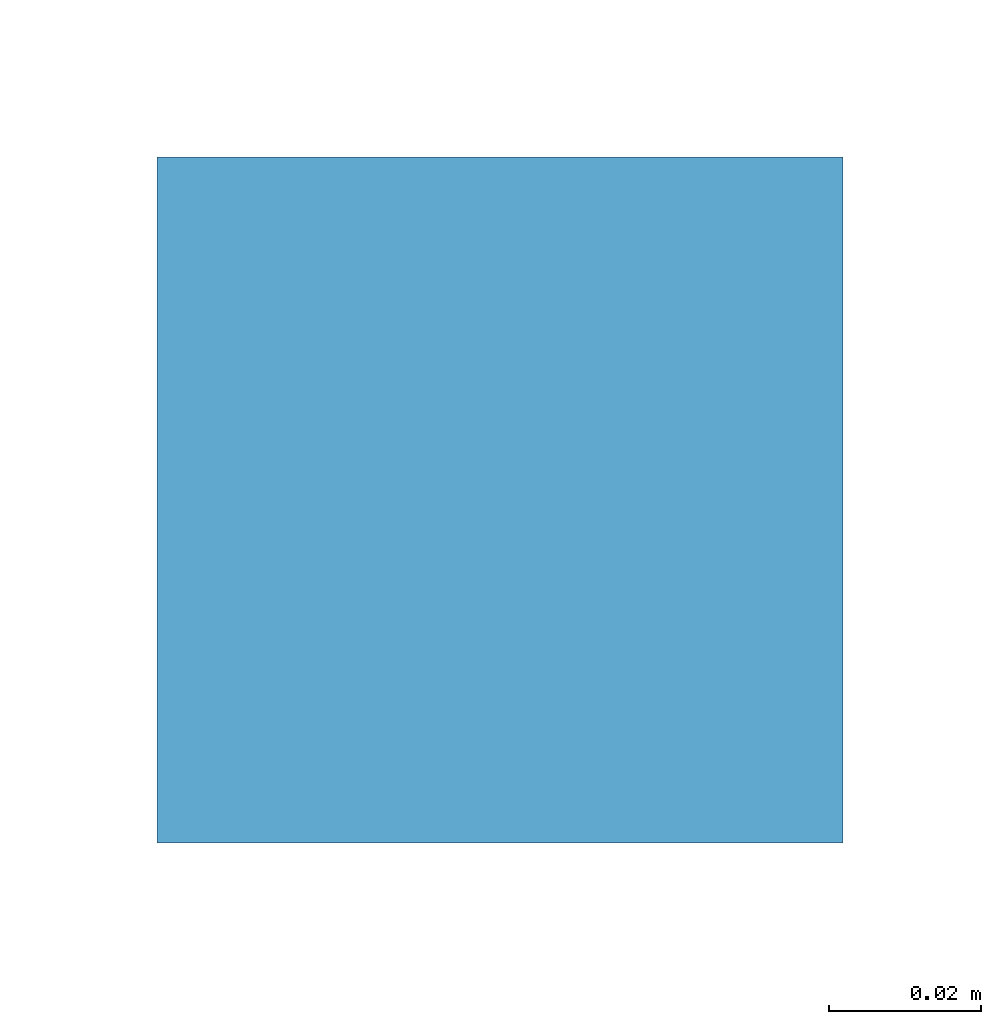
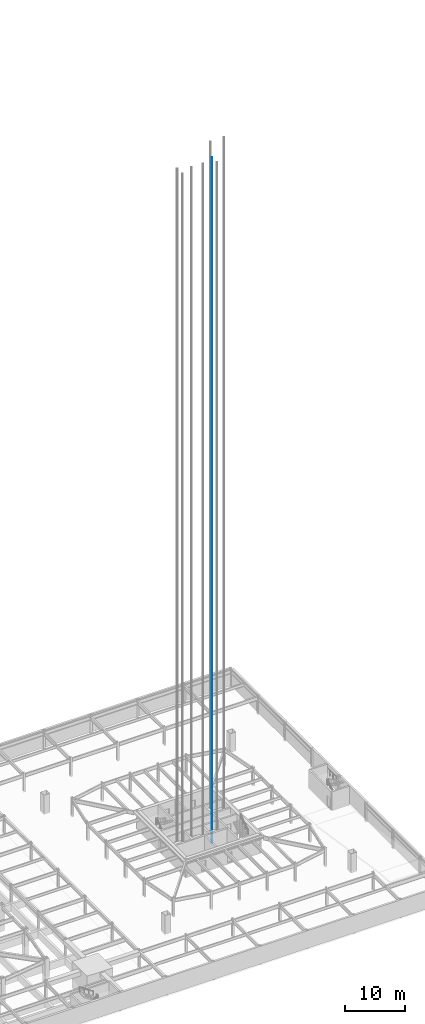
# One storey, part 30 of 35: 1 discrete accessory.
"""IFC4 building model written with IfcOpenShell, lengths in metres."""

from ifc_helpers import new_model, si_unit, direction, frame, origin, origin_2d, place, context, subcontext, project, spatial, rectangle, extrude, material, element, save


model = new_model("IFC4")

# Units and contexts
model_context = context("Model", 3, precision=1e-05, world=origin(), true_north=direction((0.0, 1.0)))
body_context = subcontext(model_context, "Body", "Model", "MODEL_VIEW")
ifc_project = project(units=[si_unit("LENGTHUNIT", "METRE"), si_unit("AREAUNIT", "SQUARE_METRE"), si_unit("VOLUMEUNIT", "CUBIC_METRE"), si_unit("PLANEANGLEUNIT", "RADIAN"), si_unit("MASSUNIT", "GRAM", prefix="KILO")], contexts=[model_context])

# Site, building, storey
site_placement = place(None, origin())
site = spatial("IfcSite", under=ifc_project, at=site_placement, CompositionType="ELEMENT")
building_placement = place(site_placement, origin())
building = spatial("IfcBuilding", under=site, at=building_placement, Name="Iwan Alto Co-Living Towers", CompositionType="ELEMENT")
storey_placement = place(building_placement, frame((0.0, 0.0, -7.199951171875)))
storey = spatial("IfcBuildingStorey", under=building, at=storey_placement, Name="B2", CompositionType="ELEMENT", Elevation=-7.199951171875)

# Discrete accessory
ifc_material = material(Name="Steel ASTM A36", Category="steel")
placement = place(storey_placement, frame((64.633544921875, -2.449951171875, 0.0), z_axis=(0.0, 0.0, 1.0), x_axis=(1.0, 0.0, 0.0)))
discrete_accessory_placement = place(placement, origin())
element("IfcDiscreteAccessory", 1, at=discrete_accessory_placement, inside=storey, material=ifc_material, Name="Lift P6-3 guide rail 2", ObjectType="Lift guide rail", PredefinedType="USERDEFINED", context=body_context, shape_type="SweptSolid", body=[
    extrude(rectangle(XDim=0.09, YDim=0.09, at=origin_2d()), frame((0.0, 0.85009765625, -0.199951171875)), (0.0, 0.0, 1.0), 139.300048828125),
])

save(model, "model.ifc")
